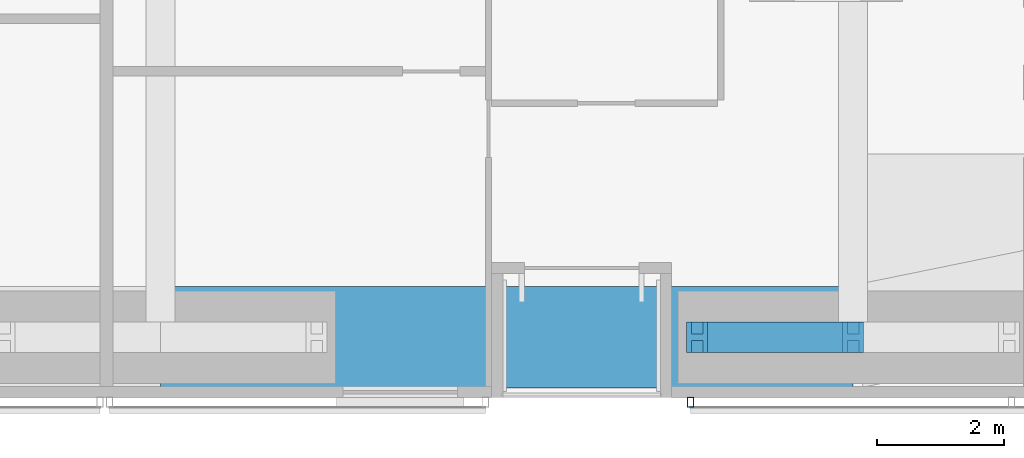
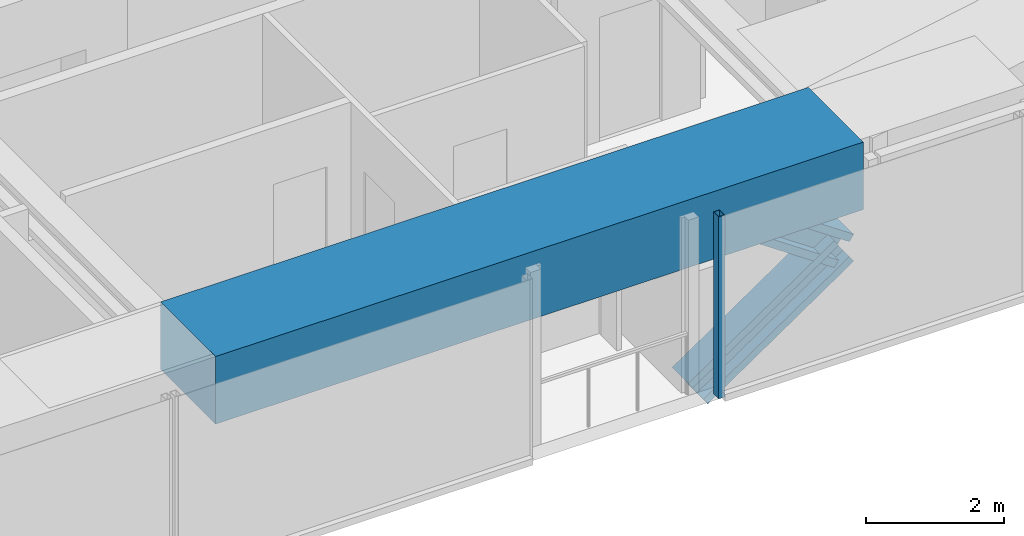
# One storey, part 5 of 24: 3 members, 1 beam, 1 element without a shape of its own.
"""IFC4 building model written with IfcOpenShell, lengths in metres."""

from ifc_helpers import new_model, si_unit, direction, frame, origin, origin_2d, place, context, subcontext, project, spatial, rectangle, hollow_rectangle, i_section, extrude, material, material_profile, profile_set, type_object, element, aggregate, save


model = new_model("IFC4")

# Units and contexts
model_context = context("Model", 3, precision=1e-05, world=origin(), true_north=direction((0.0, 1.0)))
body_context = subcontext(model_context, "Body", "Model", "MODEL_VIEW")
ifc_project = project(units=[si_unit("LENGTHUNIT", "METRE"), si_unit("AREAUNIT", "SQUARE_METRE"), si_unit("VOLUMEUNIT", "CUBIC_METRE"), si_unit("PLANEANGLEUNIT", "RADIAN"), si_unit("MASSUNIT", "GRAM", prefix="KILO")], contexts=[model_context])

# Site, building, storey
site_placement = place(None, origin())
site = spatial("IfcSite", under=ifc_project, at=site_placement, CompositionType="ELEMENT")
building_placement = place(site_placement, origin())
building = spatial("IfcBuilding", under=site, at=building_placement, Name="Jalousie Tower", CompositionType="ELEMENT")
storey_placement = place(building_placement, frame((0.0, 0.0, 124.949951171875)))
storey = spatial("IfcBuildingStorey", under=building, at=storey_placement, Name="L34", CompositionType="ELEMENT", Elevation=124.949951171875)

# Members
ifc_material_1 = material(Name="Steel ASTM A992 Grade 50", Category="steel")
ifc_material_profile_1 = material_profile(ifc_material_1, i_section(OverallWidth=0.472412109375, OverallDepth=0.5791015625, WebThickness=0.094970703125, FlangeThickness=0.1298828125, at=origin_2d()), Name="W14X808")
ifc_profile_set_1 = profile_set([ifc_material_profile_1], Name="Steel ASTM A992 Grade 50")
member_type_1 = type_object("IfcMemberType", Name="PERIMETER BRACE W14X808", PredefinedType="BRACE", material=ifc_profile_set_1)
for number, where, z_axis, x_axis, name in (
    (1, (36.175048828125, 0.949951171875, -0.599853515625), (0.825539243753, 0.0, 0.564344714713), (0.0, 1.0, 0.0), "Perimeter brace 04 L34 part 1"),
    (2, (38.625, 0.949951171875, 1.074951171875), (-0.825500916831, 0.0, 0.564400776321), (0.0, -1.0, 0.0), "Perimeter brace 04 L34 part 4"),
):
    element("IfcMember", number, at=place(storey_placement, frame(where, z_axis=z_axis, x_axis=x_axis)), inside=storey, type_object=member_type_1, Name=name, PredefinedType="BRACE", context=body_context, shape_type="SweptSolid", body=[
        extrude(i_section(OverallWidth=0.472412109375, OverallDepth=0.5791015625, WebThickness=0.094970703125, FlangeThickness=0.1298828125, at=origin_2d()), origin(), (0.0, 0.0, 1.0), 2.9677734375),
    ])

# Beam
ifc_material_2 = material(Name="Concrete f'c 40 MPa", Category="concrete")
ifc_material_profile_2 = material_profile(ifc_material_2, rectangle(XDim=1.60009765625, YDim=1.199951171875, at=origin_2d()), Name="RC 1600x1200")
ifc_profile_set_2 = profile_set([ifc_material_profile_2], Name="Concrete f'c 40 MPa")
beam_type = type_object("IfcBeamType", Name="RC BEAM 1600x1200", PredefinedType="BEAM", material=ifc_profile_set_2)
beam_placement = place(storey_placement, frame((27.75, 0.949951171875, 2.75), z_axis=(1.0, 0.0, 0.0), x_axis=(0.0, 1.0, 0.0)))
element("IfcBeam", 3, at=beam_placement, inside=storey, type_object=beam_type, Name="Edge band beam 03-04 under L35", PredefinedType="BEAM", context=body_context, shape_type="SweptSolid", body=[
    extrude(rectangle(XDim=1.60009765625, YDim=1.199951171875, at=origin_2d()), origin(), (0.0, 0.0, 1.0), 10.875),
])

# Curtain wall, member
ifc_material_3 = material(Name="Perforated aluminium sheet", Category="aluminium")
curtain_wall_type = type_object("IfcCurtainWallType", Name="SOLAR SCREEN SS-1", PredefinedType="USERDEFINED", material=ifc_material_3)
curtain_wall_placement = place(storey_placement, origin())
curtain_wall = element("IfcCurtainWall", 4, at=curtain_wall_placement, inside=storey, type_object=curtain_wall_type, Name="Solar screen L34", ObjectType="SOLAR SCREEN SS-1", PredefinedType="USERDEFINED")
ifc_material_4 = material(Name="Steel ASTM A500 Grade C", Category="steel")
ifc_material_profile_3 = material_profile(ifc_material_4, hollow_rectangle(XDim=0.1015625, YDim=0.15234375, WallThickness=0.00634765625, at=origin_2d()), Name="HSS6X4X1/4")
ifc_profile_set_3 = profile_set([ifc_material_profile_3], Name="Steel ASTM A500 Grade C")
member_type_2 = type_object("IfcMemberType", Name="SOLAR SCREEN SS-1 MULLION", PredefinedType="MULLION", material=ifc_profile_set_3)
member_placement = place(storey_placement, frame((36.074951171875, -0.0712890625, -0.119873046875), z_axis=(0.0, 0.0, 1.0), x_axis=(1.0, 0.0, 0.0)))
member = element("IfcMember", 5, at=member_placement, type_object=member_type_2, Name="SS1 post 1", PredefinedType="MULLION", context=body_context, shape_type="SweptSolid", body=[
    extrude(hollow_rectangle(XDim=0.1015625, YDim=0.15234375, WallThickness=0.00634765625, at=origin_2d()), origin(), (0.0, 0.0, 1.0), 3.22998046875),
])
aggregate(curtain_wall, [member])

save(model, "model.ifc")
